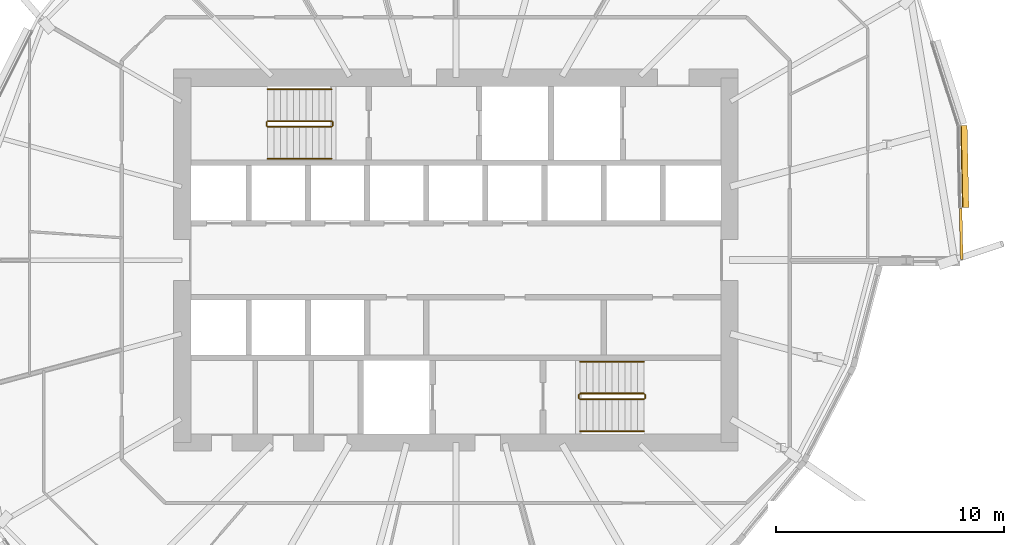
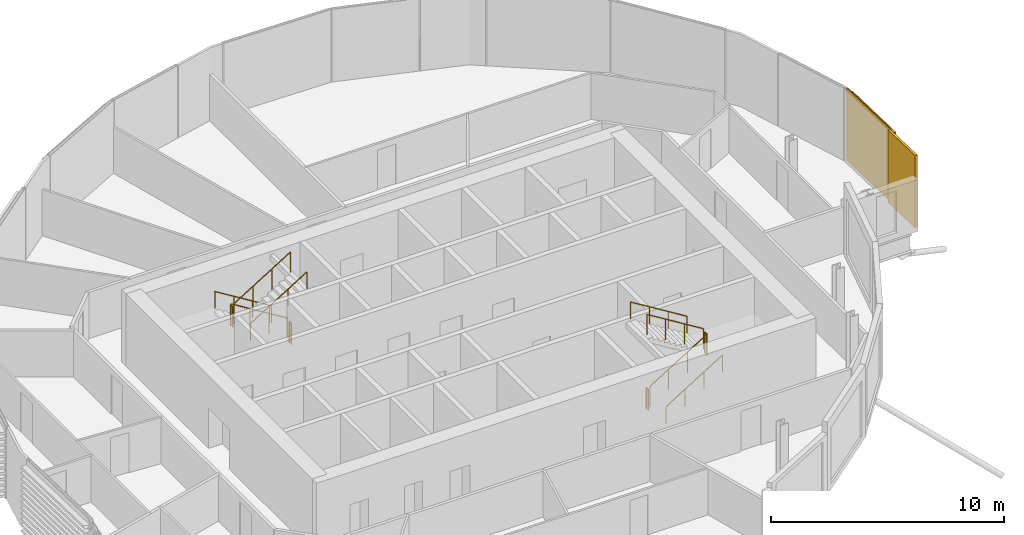
# One storey, part 38 of 39: 12 railings, 2 coverings.
"""IFC4 building model written with IfcOpenShell, lengths in metres."""

from ifc_helpers import new_model, si_unit, direction, frame, origin, origin_2d, place, context, subcontext, project, spatial, polyline, circle, outline, extrude, material, layer, layer_set, material_profile, profile_set, type_object, element, save


model = new_model("IFC4")

# Units and contexts
model_context = context("Model", 3, precision=1e-05, world=origin(), true_north=direction((0.0, 1.0)))
body_context = subcontext(model_context, "Body", "Model", "MODEL_VIEW")
ifc_project = project(units=[si_unit("LENGTHUNIT", "METRE"), si_unit("AREAUNIT", "SQUARE_METRE"), si_unit("VOLUMEUNIT", "CUBIC_METRE"), si_unit("PLANEANGLEUNIT", "RADIAN"), si_unit("MASSUNIT", "GRAM", prefix="KILO")], contexts=[model_context])

# Site, building, storey
site_placement = place(None, origin())
site = spatial("IfcSite", under=ifc_project, at=site_placement, CompositionType="ELEMENT")
building_placement = place(site_placement, origin())
building = spatial("IfcBuilding", under=site, at=building_placement, Name="Rimbun Link Towers", CompositionType="ELEMENT")
storey_placement = place(building_placement, frame((0.0, 0.0, 96.800048828125)))
storey = spatial("IfcBuildingStorey", under=building, at=storey_placement, Name="L23", CompositionType="ELEMENT", Elevation=96.800048828125)

# Covering
ifc_material_1 = material(Name="Terracotta", Category="masonry")
ifc_layer = layer(ifc_material_1, 0.1201171875)
ifc_layer_set = layer_set([ifc_layer], Name="LINK PIER terracotta cladding 120")
covering_type_1 = type_object("IfcCoveringType", Name="LINK PIER terracotta cladding 120", PredefinedType="CLADDING", material=ifc_layer_set)
covering_1_placement = place(storey_placement, origin())
element("IfcCovering", 1, at=covering_1_placement, inside=storey, type_object=covering_type_1, Name="LINK PIER cladding", PredefinedType="CLADDING", context=body_context, shape_type="SweptSolid", body=[
    extrude(outline(polyline([(53.831298828125, 2.26953125), (53.87841796875, 0.030029296875), (53.998291015625, 0.032470703125), (53.951171875, 2.27197265625), (53.831298828125, 2.26953125)])), origin(), (0.0, 0.0, 1.0), 3.800048828125),
])

# Railings
ifc_material_2 = material(Name="Stainless steel grade 316", Category="steel")
railing_type_1 = type_object("IfcRailingType", Name="Stair guard", PredefinedType="GUARDRAIL", material=ifc_material_2)
railing_1_placement = place(storey_placement, frame((26.300048828125, 6.10009765625, 0.172607421875)))
element("IfcRailing", 2, at=railing_1_placement, inside=storey, type_object=railing_type_1, Name="L23 ST3 stair guard 1", PredefinedType="GUARDRAIL", context=body_context, shape_type="SweptSolid", body=[
    extrude(circle(Radius=0.02392578125, at=origin_2d()), frame((0.0, 0.0, 1.076171875), z_axis=(-0.851089632645, 0.0, 0.525020415988), x_axis=(0.0, -1.0, 0.0)), (0.0, 0.0, 1.0), 3.2900390625),
    extrude(circle(Radius=0.02099609375, at=origin_2d()), origin(), (0.0, 0.0, 1.0), 1.052001953125),
    extrude(circle(Radius=0.02099609375, at=origin_2d()), frame((-0.933349609375, 0.0, 0.57568359375)), (0.0, 0.0, 1.0), 1.052001953125),
    extrude(circle(Radius=0.02099609375, at=origin_2d()), frame((-1.86669921875, 0.0, 1.151611328125)), (0.0, 0.0, 1.0), 1.052001953125),
    extrude(circle(Radius=0.02099609375, at=origin_2d()), frame((-2.800048828125, 0.0, 1.727294921875)), (0.0, 0.0, 1.0), 1.052001953125),
])
railing_2_placement = place(storey_placement, frame((23.449951171875, 6.050048828125, 1.89990234375)))
element("IfcRailing", 3, at=railing_2_placement, inside=storey, type_object=railing_type_1, Name="L23 ST3 stair guard 2", PredefinedType="GUARDRAIL", context=body_context, shape_type="SweptSolid", body=[
    extrude(circle(Radius=0.02392578125, at=origin_2d()), frame((0.0, 0.0, 1.076171875), z_axis=(0.0, -1.0, 0.0), x_axis=(1.0, 0.0, 0.0)), (0.0, 0.0, 1.0), 0.150146484375),
    extrude(circle(Radius=0.02099609375, at=origin_2d()), origin(), (0.0, 0.0, 1.0), 1.052001953125),
    extrude(circle(Radius=0.02099609375, at=origin_2d()), frame((0.0, -0.150146484375, 0.0)), (0.0, 0.0, 1.0), 1.052001953125),
])
railing_3_placement = place(storey_placement, frame((23.5, 5.85009765625, 2.07275390625)))
element("IfcRailing", 4, at=railing_3_placement, inside=storey, type_object=railing_type_1, Name="L23 ST3 stair guard 3", PredefinedType="GUARDRAIL", context=body_context, shape_type="SweptSolid", body=[
    extrude(circle(Radius=0.02392578125, at=origin_2d()), frame((0.0, 0.0, 1.076171875), z_axis=(0.851089632645, 0.0, 0.525020415988), x_axis=(0.0, 1.0, 0.0)), (0.0, 0.0, 1.0), 3.2900390625),
    extrude(circle(Radius=0.02099609375, at=origin_2d()), origin(), (0.0, 0.0, 1.0), 1.052001953125),
    extrude(circle(Radius=0.02099609375, at=origin_2d()), frame((0.933349609375, 0.0, 0.57568359375)), (0.0, 0.0, 1.0), 1.052001953125),
    extrude(circle(Radius=0.02099609375, at=origin_2d()), frame((1.86669921875, 0.0, 1.151611328125)), (0.0, 0.0, 1.0), 1.052001953125),
    extrude(circle(Radius=0.02099609375, at=origin_2d()), frame((2.800048828125, 0.0, 1.727294921875)), (0.0, 0.0, 1.0), 1.052001953125),
])
railing_4_placement = place(storey_placement, frame((26.35009765625, 6.050048828125, 0.0)))
element("IfcRailing", 5, at=railing_4_placement, inside=storey, type_object=railing_type_1, Name="L23 ST3 stair guard 4", PredefinedType="GUARDRAIL", context=body_context, shape_type="SweptSolid", body=[
    extrude(circle(Radius=0.02392578125, at=origin_2d()), frame((0.0, 0.0, 1.076171875), z_axis=(0.0, -1.0, 0.0), x_axis=(1.0, 0.0, 0.0)), (0.0, 0.0, 1.0), 0.150146484375),
    extrude(circle(Radius=0.02099609375, at=origin_2d()), origin(), (0.0, 0.0, 1.0), 1.052001953125),
    extrude(circle(Radius=0.02099609375, at=origin_2d()), frame((0.0, -0.150146484375, 0.0)), (0.0, 0.0, 1.0), 1.052001953125),
])
railing_5_placement = place(storey_placement, frame((37.199951171875, -6.10009765625, 0.172607421875)))
element("IfcRailing", 6, at=railing_5_placement, inside=storey, type_object=railing_type_1, Name="L23 ST4 stair guard 1", PredefinedType="GUARDRAIL", context=body_context, shape_type="SweptSolid", body=[
    extrude(circle(Radius=0.02392578125, at=origin_2d()), frame((0.0, 0.0, 1.076171875), z_axis=(0.851089632645, 0.0, 0.525020415988), x_axis=(0.0, 1.0, 0.0)), (0.0, 0.0, 1.0), 3.2900390625),
    extrude(circle(Radius=0.02099609375, at=origin_2d()), origin(), (0.0, 0.0, 1.0), 1.052001953125),
    extrude(circle(Radius=0.02099609375, at=origin_2d()), frame((0.933349609375, 0.0, 0.57568359375)), (0.0, 0.0, 1.0), 1.052001953125),
    extrude(circle(Radius=0.02099609375, at=origin_2d()), frame((1.86669921875, 0.0, 1.151611328125)), (0.0, 0.0, 1.0), 1.052001953125),
    extrude(circle(Radius=0.02099609375, at=origin_2d()), frame((2.800048828125, 0.0, 1.727294921875)), (0.0, 0.0, 1.0), 1.052001953125),
])
railing_6_placement = place(storey_placement, frame((40.050048828125, -6.050048828125, 1.89990234375)))
element("IfcRailing", 7, at=railing_6_placement, inside=storey, type_object=railing_type_1, Name="L23 ST4 stair guard 2", PredefinedType="GUARDRAIL", context=body_context, shape_type="SweptSolid", body=[
    extrude(circle(Radius=0.02392578125, at=origin_2d()), frame((0.0, 0.0, 1.076171875), z_axis=(0.0, 1.0, 0.0), x_axis=(-1.0, 0.0, 0.0)), (0.0, 0.0, 1.0), 0.150146484375),
    extrude(circle(Radius=0.02099609375, at=origin_2d()), origin(), (0.0, 0.0, 1.0), 1.052001953125),
    extrude(circle(Radius=0.02099609375, at=origin_2d()), frame((0.0, 0.150146484375, 0.0)), (0.0, 0.0, 1.0), 1.052001953125),
])
railing_7_placement = place(storey_placement, frame((40.0, -5.85009765625, 2.07275390625)))
element("IfcRailing", 8, at=railing_7_placement, inside=storey, type_object=railing_type_1, Name="L23 ST4 stair guard 3", PredefinedType="GUARDRAIL", context=body_context, shape_type="SweptSolid", body=[
    extrude(circle(Radius=0.02392578125, at=origin_2d()), frame((0.0, 0.0, 1.076171875), z_axis=(-0.851089632645, 0.0, 0.525020415988), x_axis=(0.0, -1.0, 0.0)), (0.0, 0.0, 1.0), 3.2900390625),
    extrude(circle(Radius=0.02099609375, at=origin_2d()), origin(), (0.0, 0.0, 1.0), 1.052001953125),
    extrude(circle(Radius=0.02099609375, at=origin_2d()), frame((-0.933349609375, 0.0, 0.57568359375)), (0.0, 0.0, 1.0), 1.052001953125),
    extrude(circle(Radius=0.02099609375, at=origin_2d()), frame((-1.86669921875, 0.0, 1.151611328125)), (0.0, 0.0, 1.0), 1.052001953125),
    extrude(circle(Radius=0.02099609375, at=origin_2d()), frame((-2.800048828125, 0.0, 1.727294921875)), (0.0, 0.0, 1.0), 1.052001953125),
])
railing_8_placement = place(storey_placement, frame((37.14990234375, -6.050048828125, 0.0)))
element("IfcRailing", 9, at=railing_8_placement, inside=storey, type_object=railing_type_1, Name="L23 ST4 stair guard 4", PredefinedType="GUARDRAIL", context=body_context, shape_type="SweptSolid", body=[
    extrude(circle(Radius=0.02392578125, at=origin_2d()), frame((0.0, 0.0, 1.076171875), z_axis=(0.0, 1.0, 0.0), x_axis=(-1.0, 0.0, 0.0)), (0.0, 0.0, 1.0), 0.150146484375),
    extrude(circle(Radius=0.02099609375, at=origin_2d()), origin(), (0.0, 0.0, 1.0), 1.052001953125),
    extrude(circle(Radius=0.02099609375, at=origin_2d()), frame((0.0, 0.150146484375, 0.0)), (0.0, 0.0, 1.0), 1.052001953125),
])
ifc_material_3 = material(Name="Stainless steel grade 316", Category="steel")
railing_type_2 = type_object("IfcRailingType", Name="Stair handrail", PredefinedType="HANDRAIL", material=ifc_material_3)
railing_9_placement = place(storey_placement, frame((26.300048828125, 7.5, 0.172607421875)))
element("IfcRailing", 10, at=railing_9_placement, inside=storey, type_object=railing_type_2, Name="L23 ST3 stair handrail 1", PredefinedType="HANDRAIL", context=body_context, shape_type="SweptSolid", body=[
    extrude(circle(Radius=0.02392578125, at=origin_2d()), frame((0.0, 0.0, 0.8759765625), z_axis=(-0.851089632645, 0.0, 0.525020415988), x_axis=(0.0, -1.0, 0.0)), (0.0, 0.0, 1.0), 3.2900390625),
    extrude(circle(Radius=0.02099609375, at=origin_2d()), origin(), (0.0, 0.0, 1.0), 0.851806640625),
    extrude(circle(Radius=0.02099609375, at=origin_2d()), frame((-0.933349609375, 0.0, 0.57568359375)), (0.0, 0.0, 1.0), 0.851806640625),
    extrude(circle(Radius=0.02099609375, at=origin_2d()), frame((-1.86669921875, 0.0, 1.151611328125)), (0.0, 0.0, 1.0), 0.851806640625),
    extrude(circle(Radius=0.02099609375, at=origin_2d()), frame((-2.800048828125, 0.0, 1.727294921875)), (0.0, 0.0, 1.0), 0.851806640625),
])
for number, where, name in (
    (11, (23.5, 4.449951171875, 2.07275390625), "L23 ST3 stair handrail 2"),
    (12, (37.199951171875, -7.5, 0.172607421875), "L23 ST4 stair handrail 1"),
):
    element("IfcRailing", number, at=place(storey_placement, frame(where)), inside=storey, type_object=railing_type_2, Name=name, PredefinedType="HANDRAIL", context=body_context, shape_type="SweptSolid", body=[
        extrude(circle(Radius=0.02392578125, at=origin_2d()), frame((0.0, 0.0, 0.8759765625), z_axis=(0.851089632645, 0.0, 0.525020415988), x_axis=(0.0, 1.0, 0.0)), (0.0, 0.0, 1.0), 3.2900390625),
        extrude(circle(Radius=0.02099609375, at=origin_2d()), origin(), (0.0, 0.0, 1.0), 0.851806640625),
        extrude(circle(Radius=0.02099609375, at=origin_2d()), frame((0.933349609375, 0.0, 0.57568359375)), (0.0, 0.0, 1.0), 0.851806640625),
        extrude(circle(Radius=0.02099609375, at=origin_2d()), frame((1.86669921875, 0.0, 1.151611328125)), (0.0, 0.0, 1.0), 0.851806640625),
        extrude(circle(Radius=0.02099609375, at=origin_2d()), frame((2.800048828125, 0.0, 1.727294921875)), (0.0, 0.0, 1.0), 0.851806640625),
    ])
railing_10_placement = place(storey_placement, frame((40.0, -4.449951171875, 2.07275390625)))
element("IfcRailing", 13, at=railing_10_placement, inside=storey, type_object=railing_type_2, Name="L23 ST4 stair handrail 2", PredefinedType="HANDRAIL", context=body_context, shape_type="SweptSolid", body=[
    extrude(circle(Radius=0.02392578125, at=origin_2d()), frame((0.0, 0.0, 0.8759765625), z_axis=(-0.851089632645, 0.0, 0.525020415988), x_axis=(0.0, -1.0, 0.0)), (0.0, 0.0, 1.0), 3.2900390625),
    extrude(circle(Radius=0.02099609375, at=origin_2d()), origin(), (0.0, 0.0, 1.0), 0.851806640625),
    extrude(circle(Radius=0.02099609375, at=origin_2d()), frame((-0.933349609375, 0.0, 0.57568359375)), (0.0, 0.0, 1.0), 0.851806640625),
    extrude(circle(Radius=0.02099609375, at=origin_2d()), frame((-1.86669921875, 0.0, 1.151611328125)), (0.0, 0.0, 1.0), 0.851806640625),
    extrude(circle(Radius=0.02099609375, at=origin_2d()), frame((-2.800048828125, 0.0, 1.727294921875)), (0.0, 0.0, 1.0), 0.851806640625),
])

# Covering
ifc_material_4 = material(Name="Terracotta", Category="masonry")
ifc_material_profile = material_profile(ifc_material_4, outline(polyline([(0.123046875, 0.0), (0.1630859375, 0.0), (0.1630859375, 0.10009765625), (0.423095703125, 0.10009765625), (0.423095703125, 0.219970703125), (0.1630859375, 0.219970703125), (0.1630859375, 0.39990234375), (0.423095703125, 0.39990234375), (0.423095703125, 0.52001953125), (0.1630859375, 0.52001953125), (0.1630859375, 0.699951171875), (0.423095703125, 0.699951171875), (0.423095703125, 0.820068359375), (0.1630859375, 0.820068359375), (0.1630859375, 1.0), (0.423095703125, 1.0), (0.423095703125, 1.1201171875), (0.1630859375, 1.1201171875), (0.1630859375, 1.300048828125), (0.423095703125, 1.300048828125), (0.423095703125, 1.419921875), (0.1630859375, 1.419921875), (0.1630859375, 1.60009765625), (0.423095703125, 1.60009765625), (0.423095703125, 1.719970703125), (0.1630859375, 1.719970703125), (0.1630859375, 1.89990234375), (0.423095703125, 1.89990234375), (0.423095703125, 2.02001953125), (0.1630859375, 2.02001953125), (0.1630859375, 2.199951171875), (0.423095703125, 2.199951171875), (0.423095703125, 2.320068359375), (0.1630859375, 2.320068359375), (0.1630859375, 2.5), (0.423095703125, 2.5), (0.423095703125, 2.6201171875), (0.1630859375, 2.6201171875), (0.1630859375, 2.800048828125), (0.423095703125, 2.800048828125), (0.423095703125, 2.919921875), (0.1630859375, 2.919921875), (0.1630859375, 3.10009765625), (0.423095703125, 3.10009765625), (0.423095703125, 3.219970703125), (0.1630859375, 3.219970703125), (0.1630859375, 3.39990234375), (0.423095703125, 3.39990234375), (0.423095703125, 3.52001953125), (0.1630859375, 3.52001953125), (0.1630859375, 3.800048828125), (0.123046875, 3.800048828125), (0.123046875, 0.0)])), Name="BAGUETTE 120X300")
ifc_profile_set = profile_set([ifc_material_profile], Name="Terracotta")
covering_type_2 = type_object("IfcCoveringType", Name="TERRACOTTA BAGUETTE 120X300 H3800", PredefinedType="CLADDING", material=ifc_profile_set)
covering_2_placement = place(storey_placement, frame((53.7548828125, 5.896240234375, 0.0), z_axis=(0.021037971083, -0.999778677395, 0.0), x_axis=(0.999778677395, 0.021037971083, 0.0)))
element("IfcCovering", 14, at=covering_2_placement, inside=storey, type_object=covering_type_2, Name="TERRACOTTA BAGUETTE", PredefinedType="CLADDING", context=body_context, shape_type="SweptSolid", body=[
    extrude(outline(polyline([(0.123046875, 0.0), (0.1630859375, 0.0), (0.1630859375, 0.10009765625), (0.423095703125, 0.10009765625), (0.423095703125, 0.219970703125), (0.1630859375, 0.219970703125), (0.1630859375, 0.39990234375), (0.423095703125, 0.39990234375), (0.423095703125, 0.52001953125), (0.1630859375, 0.52001953125), (0.1630859375, 0.699951171875), (0.423095703125, 0.699951171875), (0.423095703125, 0.820068359375), (0.1630859375, 0.820068359375), (0.1630859375, 1.0), (0.423095703125, 1.0), (0.423095703125, 1.1201171875), (0.1630859375, 1.1201171875), (0.1630859375, 1.300048828125), (0.423095703125, 1.300048828125), (0.423095703125, 1.419921875), (0.1630859375, 1.419921875), (0.1630859375, 1.60009765625), (0.423095703125, 1.60009765625), (0.423095703125, 1.719970703125), (0.1630859375, 1.719970703125), (0.1630859375, 1.89990234375), (0.423095703125, 1.89990234375), (0.423095703125, 2.02001953125), (0.1630859375, 2.02001953125), (0.1630859375, 2.199951171875), (0.423095703125, 2.199951171875), (0.423095703125, 2.320068359375), (0.1630859375, 2.320068359375), (0.1630859375, 2.5), (0.423095703125, 2.5), (0.423095703125, 2.6201171875), (0.1630859375, 2.6201171875), (0.1630859375, 2.800048828125), (0.423095703125, 2.800048828125), (0.423095703125, 2.919921875), (0.1630859375, 2.919921875), (0.1630859375, 3.10009765625), (0.423095703125, 3.10009765625), (0.423095703125, 3.219970703125), (0.1630859375, 3.219970703125), (0.1630859375, 3.39990234375), (0.423095703125, 3.39990234375), (0.423095703125, 3.52001953125), (0.1630859375, 3.52001953125), (0.1630859375, 3.800048828125), (0.123046875, 3.800048828125), (0.123046875, 0.0)])), origin(), (0.0, 0.0, 1.0), 3.597412109375),
])

save(model, "model.ifc")
